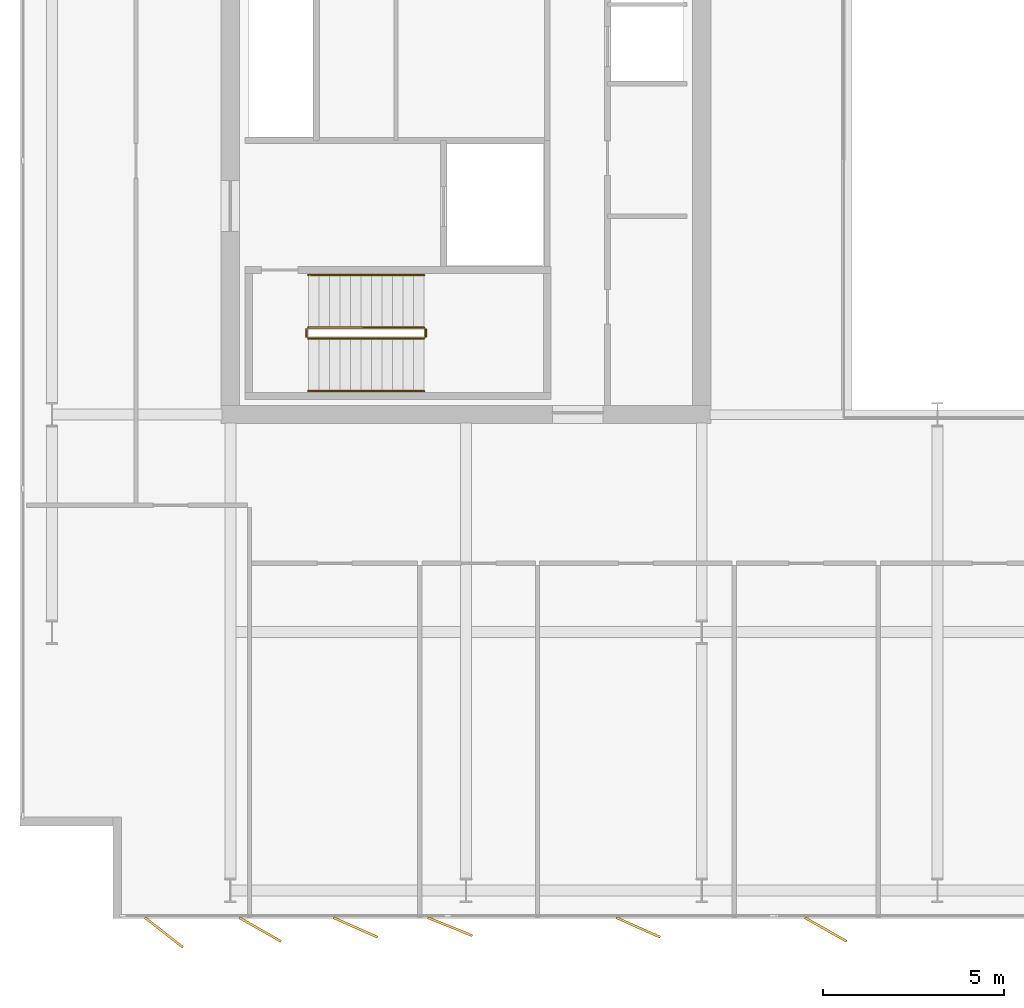
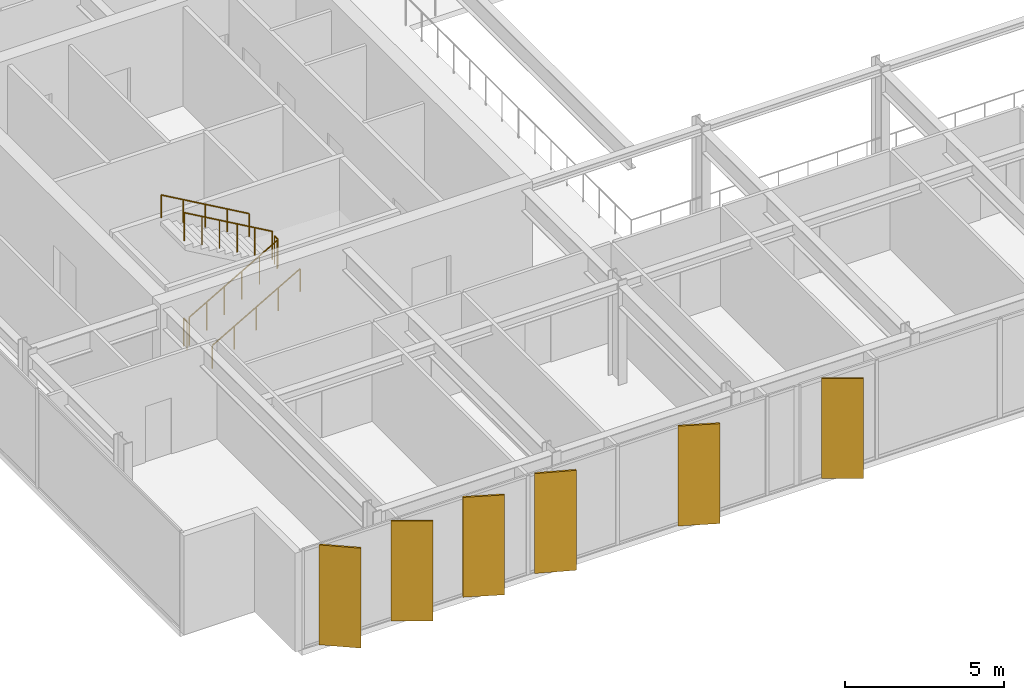
# One storey, part 17 of 20: 6 railings, 6 shading devices.
"""IFC4 building model written with IfcOpenShell, lengths in metres."""

from ifc_helpers import new_model, si_unit, direction, frame, origin, origin_2d, place, context, subcontext, project, spatial, rectangle, circle, extrude, material, layer, layer_set, type_object, element, save


model = new_model("IFC4")

# Units and contexts
model_context = context("Model", 3, precision=1e-05, world=origin(), true_north=direction((0.0, 1.0)))
body_context = subcontext(model_context, "Body", "Model", "MODEL_VIEW")
ifc_project = project(units=[si_unit("LENGTHUNIT", "METRE"), si_unit("AREAUNIT", "SQUARE_METRE"), si_unit("VOLUMEUNIT", "CUBIC_METRE"), si_unit("PLANEANGLEUNIT", "RADIAN"), si_unit("MASSUNIT", "GRAM", prefix="KILO")], contexts=[model_context])

# Site, building, storey
site_placement = place(None, origin())
site = spatial("IfcSite", under=ifc_project, at=site_placement, CompositionType="ELEMENT")
building_placement = place(site_placement, origin())
building = spatial("IfcBuilding", under=site, at=building_placement, Name="Putna Gate Headquarters", CompositionType="ELEMENT")
storey_placement = place(building_placement, frame((0.0, 0.0, 302.39990234375)))
storey = spatial("IfcBuildingStorey", under=building, at=storey_placement, Name="L76", CompositionType="ELEMENT", Elevation=302.39990234375)

# Railings
ifc_material_1 = material(Name="Powder-coated steel stair guardrail", Category="steel")
railing_type_1 = type_object("IfcRailingType", Name="RAIL-STAIR-GUARD-1100", PredefinedType="GUARDRAIL", material=ifc_material_1)
railing_1_placement = place(storey_placement, frame((15.14990234375, 21.10009765625, 0.166748046875)))
element("IfcRailing", 1, at=railing_1_placement, inside=storey, type_object=railing_type_1, Name="L76 ST1 stair guard 1", PredefinedType="GUARDRAIL", context=body_context, shape_type="SweptSolid", body=[
    extrude(circle(Radius=0.02392578125, at=origin_2d()), frame((0.0, 0.0, 1.076171875), z_axis=(0.8670360191, 0.0, 0.498245463184), x_axis=(0.0, 1.0, 0.0)), (0.0, 0.0, 1.0), 3.679443359375),
    extrude(circle(Radius=0.02099609375, at=origin_2d()), origin(), (0.0, 0.0, 1.0), 1.052001953125),
    extrude(circle(Radius=0.02099609375, at=origin_2d()), frame((0.637939453125, 0.0, 0.36669921875)), (0.0, 0.0, 1.0), 1.052001953125),
    extrude(circle(Radius=0.02099609375, at=origin_2d()), frame((1.276123046875, 0.0, 0.7333984375)), (0.0, 0.0, 1.0), 1.052001953125),
    extrude(circle(Radius=0.02099609375, at=origin_2d()), frame((1.9140625, 0.0, 1.099853515625)), (0.0, 0.0, 1.0), 1.052001953125),
    extrude(circle(Radius=0.02099609375, at=origin_2d()), frame((2.55224609375, 0.0, 1.466552734375)), (0.0, 0.0, 1.0), 1.052001953125),
    extrude(circle(Radius=0.02099609375, at=origin_2d()), frame((3.190185546875, 0.0, 1.833251953125)), (0.0, 0.0, 1.0), 1.052001953125),
])
railing_2_placement = place(storey_placement, frame((18.389892578125, 21.14990234375, 2.0)))
element("IfcRailing", 2, at=railing_2_placement, inside=storey, type_object=railing_type_1, Name="L76 ST1 stair guard 2", PredefinedType="GUARDRAIL", context=body_context, shape_type="SweptSolid", body=[
    extrude(circle(Radius=0.02392578125, at=origin_2d()), frame((0.0, 0.0, 1.076171875), z_axis=(0.0, 1.0, 0.0), x_axis=(-1.0, 0.0, 0.0)), (0.0, 0.0, 1.0), 0.2001953125),
    extrude(circle(Radius=0.02099609375, at=origin_2d()), origin(), (0.0, 0.0, 1.0), 1.052001953125),
    extrude(circle(Radius=0.02099609375, at=origin_2d()), frame((0.0, 0.2001953125, 0.0)), (0.0, 0.0, 1.0), 1.052001953125),
])
railing_3_placement = place(storey_placement, frame((18.340087890625, 21.39990234375, 2.166748046875)))
element("IfcRailing", 3, at=railing_3_placement, inside=storey, type_object=railing_type_1, Name="L76 ST1 stair guard 3", PredefinedType="GUARDRAIL", context=body_context, shape_type="SweptSolid", body=[
    extrude(circle(Radius=0.02392578125, at=origin_2d()), frame((0.0, 0.0, 1.076171875), z_axis=(-0.8670360191, 0.0, 0.498245463184), x_axis=(0.0, -1.0, 0.0)), (0.0, 0.0, 1.0), 3.679443359375),
    extrude(circle(Radius=0.02099609375, at=origin_2d()), origin(), (0.0, 0.0, 1.0), 1.052001953125),
    extrude(circle(Radius=0.02099609375, at=origin_2d()), frame((-0.637939453125, 0.0, 0.36669921875)), (0.0, 0.0, 1.0), 1.052001953125),
    extrude(circle(Radius=0.02099609375, at=origin_2d()), frame((-1.276123046875, 0.0, 0.7333984375)), (0.0, 0.0, 1.0), 1.052001953125),
    extrude(circle(Radius=0.02099609375, at=origin_2d()), frame((-1.9140625, 0.0, 1.099853515625)), (0.0, 0.0, 1.0), 1.052001953125),
    extrude(circle(Radius=0.02099609375, at=origin_2d()), frame((-2.55224609375, 0.0, 1.466552734375)), (0.0, 0.0, 1.0), 1.052001953125),
    extrude(circle(Radius=0.02099609375, at=origin_2d()), frame((-3.190185546875, 0.0, 1.833251953125)), (0.0, 0.0, 1.0), 1.052001953125),
])
railing_4_placement = place(storey_placement, frame((15.10009765625, 21.14990234375, 0.0)))
element("IfcRailing", 4, at=railing_4_placement, inside=storey, type_object=railing_type_1, Name="L76 ST1 stair guard 4", PredefinedType="GUARDRAIL", context=body_context, shape_type="SweptSolid", body=[
    extrude(circle(Radius=0.02392578125, at=origin_2d()), frame((0.0, 0.0, 1.076171875), z_axis=(0.0, 1.0, 0.0), x_axis=(-1.0, 0.0, 0.0)), (0.0, 0.0, 1.0), 0.2001953125),
    extrude(circle(Radius=0.02099609375, at=origin_2d()), origin(), (0.0, 0.0, 1.0), 1.052001953125),
    extrude(circle(Radius=0.02099609375, at=origin_2d()), frame((0.0, 0.2001953125, 0.0)), (0.0, 0.0, 1.0), 1.052001953125),
])
ifc_material_2 = material(Name="Brushed stainless steel handrail", Category="steel")
railing_type_2 = type_object("IfcRailingType", Name="RAIL-STAIR-HAND-900", PredefinedType="HANDRAIL", material=ifc_material_2)
railing_5_placement = place(storey_placement, frame((15.14990234375, 19.64990234375, 0.166748046875)))
element("IfcRailing", 5, at=railing_5_placement, inside=storey, type_object=railing_type_2, Name="L76 ST1 stair handrail 1", PredefinedType="HANDRAIL", context=body_context, shape_type="SweptSolid", body=[
    extrude(circle(Radius=0.02392578125, at=origin_2d()), frame((0.0, 0.0, 0.8759765625), z_axis=(0.8670360191, 0.0, 0.498245463184), x_axis=(0.0, 1.0, 0.0)), (0.0, 0.0, 1.0), 3.679443359375),
    extrude(circle(Radius=0.02099609375, at=origin_2d()), origin(), (0.0, 0.0, 1.0), 0.851806640625),
    extrude(circle(Radius=0.02099609375, at=origin_2d()), frame((0.797607421875, 0.0, 0.458251953125)), (0.0, 0.0, 1.0), 0.851806640625),
    extrude(circle(Radius=0.02099609375, at=origin_2d()), frame((1.59521484375, 0.0, 0.91650390625)), (0.0, 0.0, 1.0), 0.851806640625),
    extrude(circle(Radius=0.02099609375, at=origin_2d()), frame((2.392578125, 0.0, 1.375)), (0.0, 0.0, 1.0), 0.851806640625),
    extrude(circle(Radius=0.02099609375, at=origin_2d()), frame((3.190185546875, 0.0, 1.833251953125)), (0.0, 0.0, 1.0), 0.851806640625),
])
railing_6_placement = place(storey_placement, frame((18.340087890625, 22.85009765625, 2.166748046875)))
element("IfcRailing", 6, at=railing_6_placement, inside=storey, type_object=railing_type_2, Name="L76 ST1 stair handrail 2", PredefinedType="HANDRAIL", context=body_context, shape_type="SweptSolid", body=[
    extrude(circle(Radius=0.02392578125, at=origin_2d()), frame((0.0, 0.0, 0.8759765625), z_axis=(-0.8670360191, 0.0, 0.498245463184), x_axis=(0.0, -1.0, 0.0)), (0.0, 0.0, 1.0), 3.679443359375),
    extrude(circle(Radius=0.02099609375, at=origin_2d()), origin(), (0.0, 0.0, 1.0), 0.851806640625),
    extrude(circle(Radius=0.02099609375, at=origin_2d()), frame((-0.797607421875, 0.0, 0.458251953125)), (0.0, 0.0, 1.0), 0.851806640625),
    extrude(circle(Radius=0.02099609375, at=origin_2d()), frame((-1.59521484375, 0.0, 0.91650390625)), (0.0, 0.0, 1.0), 0.851806640625),
    extrude(circle(Radius=0.02099609375, at=origin_2d()), frame((-2.392578125, 0.0, 1.375)), (0.0, 0.0, 1.0), 0.851806640625),
    extrude(circle(Radius=0.02099609375, at=origin_2d()), frame((-3.190185546875, 0.0, 1.833251953125)), (0.0, 0.0, 1.0), 0.851806640625),
])

# Shading devices
ifc_material_3 = material(Name="Anodised architectural bronze aluminium fin", Category="aluminium")
ifc_layer = layer(ifc_material_3, 0.06494140625)
ifc_layer_set = layer_set([ifc_layer], Name="Anodised architectural bronze aluminium fin")
shading_device_type = type_object("IfcShadingDeviceType", Name="SHADE-BRONZE-FIN-1320", PredefinedType="USERDEFINED", material=ifc_layer_set)
for number, where, z_axis, x_axis, name in (
    (7, (11.169677734375, 4.71826171875, -0.02001953125), (0.0, 0.0, 1.0), (0.787473187632, -0.616348909921, 0.0), "L76 Bronze Vertical Shading Fin S1"),
    (8, (13.82373046875, 4.798828125, -0.02001953125), (0.0, 0.0, 1.0), (0.869322458298, -0.494245347472, 0.0), "L76 Bronze Vertical Shading Fin S2"),
    (9, (16.452880859375, 4.856689453125, -0.02001953125), (0.0, 0.0, 1.0), (0.913687379856, -0.40641773078, 0.0), "L76 Bronze Vertical Shading Fin S3"),
    (10, (19.06201171875, 4.877685546875, -0.02001953125), (0.0, 0.0, 1.0), (0.927183854567, -0.374606593416, 0.0), "L76 Bronze Vertical Shading Fin S4"),
    (11, (24.2529296875, 4.856689453125, -0.02001953125), (0.0, 0.0, 1.0), (0.913687379856, -0.40641773078, 0.0), "L76 Bronze Vertical Shading Fin S5"),
    (12, (29.423828125, 4.798828125, -0.02001953125), (0.0, 0.0, 1.0), (0.869322458298, -0.494245347472, 0.0), "L76 Bronze Vertical Shading Fin S6"),
):
    element("IfcShadingDevice", number, at=place(storey_placement, frame(where, z_axis=z_axis, x_axis=x_axis)), inside=storey, type_object=shading_device_type, Name=name, ObjectType="FIN", PredefinedType="USERDEFINED", context=body_context, shape_type="SweptSolid", body=[
        extrude(rectangle(XDim=1.320068359375, YDim=0.06494140625, at=origin_2d()), origin(), (0.0, 0.0, 1.0), 3.827880859375),
    ])

save(model, "model.ifc")
